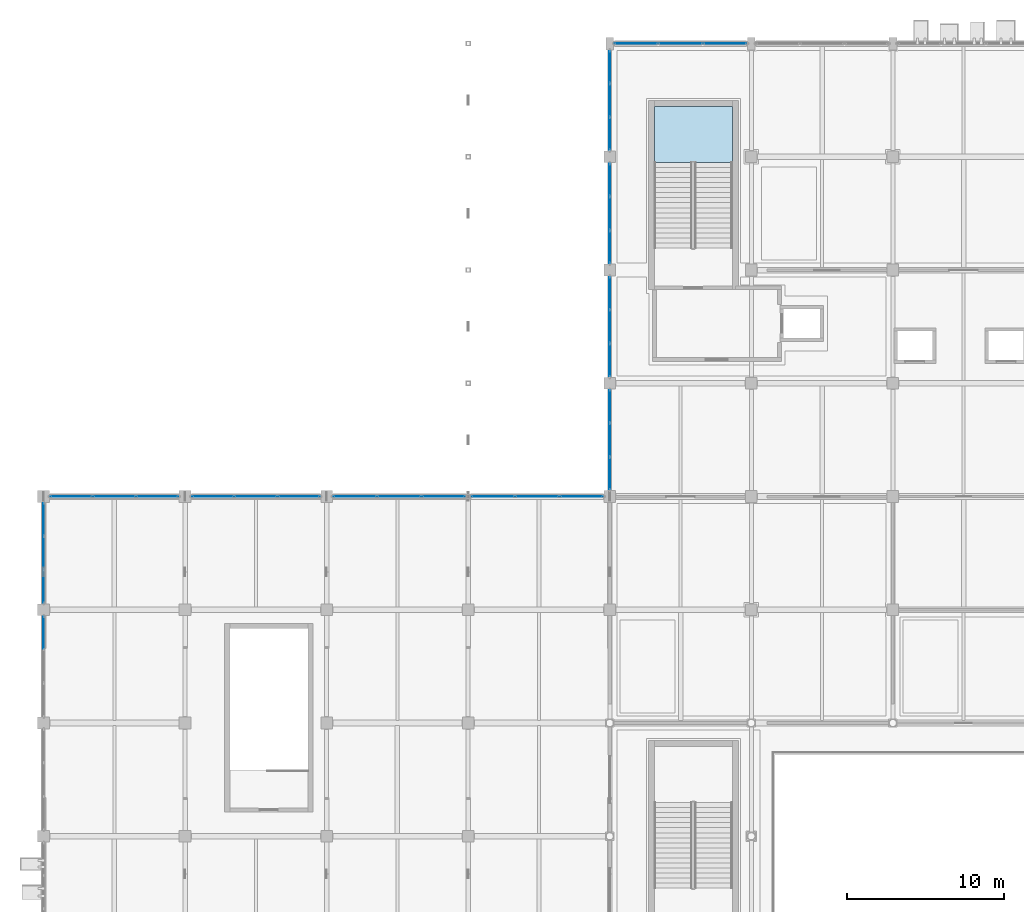
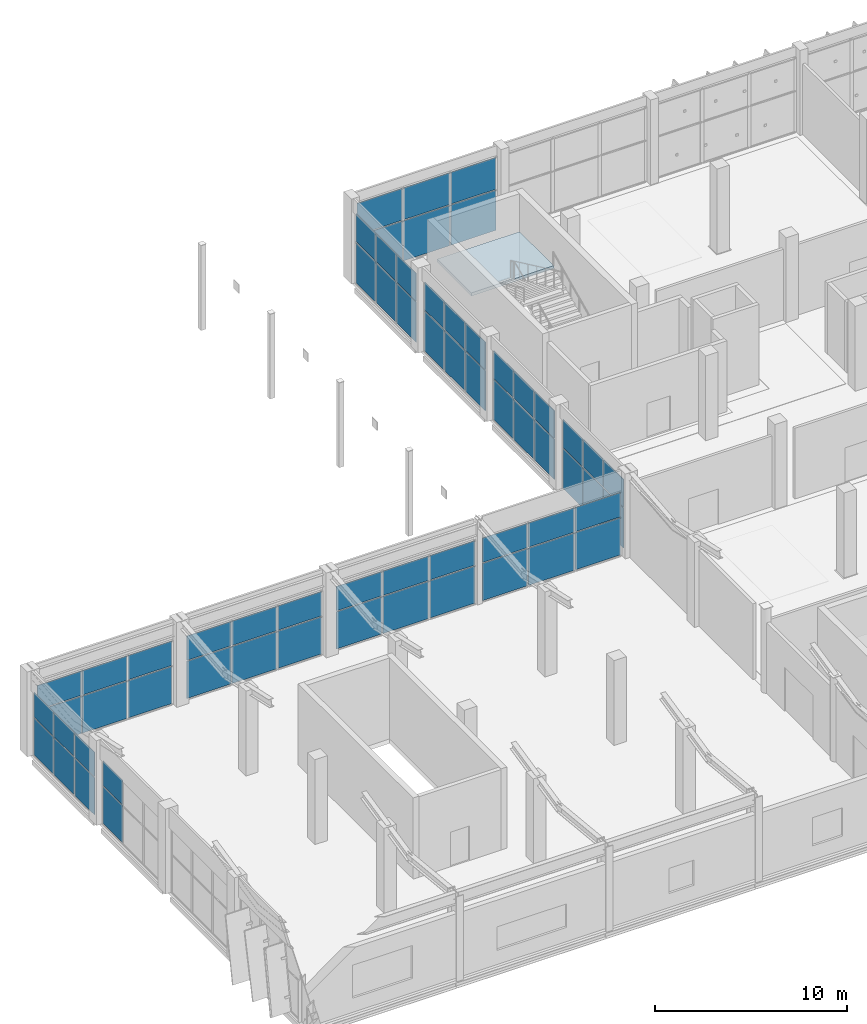
# One storey, part 119 of 189: 62 plates, 1 slab, 12 elements without a shape of their own.
"""IFC4 building model written with IfcOpenShell, lengths in metres."""

from ifc_helpers import new_model, si_unit, direction, frame, origin, origin_2d, place, context, subcontext, project, spatial, polyline, rectangle, outline, extrude, material, layer, layer_set, type_object, element, aggregate, save


model = new_model("IFC4")

# Units and contexts
model_context = context("Model", 3, precision=1e-05, world=origin(), true_north=direction((0.0, 1.0)))
body_context = subcontext(model_context, "Body", "Model", "MODEL_VIEW")
ifc_project = project(units=[si_unit("LENGTHUNIT", "METRE"), si_unit("AREAUNIT", "SQUARE_METRE"), si_unit("VOLUMEUNIT", "CUBIC_METRE"), si_unit("PLANEANGLEUNIT", "RADIAN"), si_unit("MASSUNIT", "GRAM", prefix="KILO")], contexts=[model_context])

# Site, building, storey
site_placement = place(None, origin())
site = spatial("IfcSite", under=ifc_project, at=site_placement, CompositionType="ELEMENT")
building_placement = place(site_placement, origin())
building = spatial("IfcBuilding", under=site, at=building_placement, Name="Celestram Park Convention Centre", CompositionType="ELEMENT")
storey_placement = place(building_placement, frame((0.0, 0.0, 5.39990234375)))
storey = spatial("IfcBuildingStorey", under=building, at=storey_placement, Name="L01", CompositionType="ELEMENT", Elevation=5.39990234375)

# Curtain wall, plates
ifc_material_1 = material(Name="Anodised Aluminium Alloy 6063-T6", Category="aluminium")
ifc_layer_1 = layer(ifc_material_1, 0.179931640625)
ifc_layer_set_1 = layer_set([ifc_layer_1], Name="Anodised Aluminium Alloy 6063-T6")
curtain_wall_type_1 = type_object("IfcCurtainWallType", Name="ARC-CW-645X410", PredefinedType="NOTDEFINED", material=ifc_layer_set_1)
curtain_wall_1_placement = place(storey_placement, origin())
curtain_wall_1 = element("IfcCurtainWall", 1, at=curtain_wall_1_placement, inside=storey, type_object=curtain_wall_type_1, Name="Unitised curtain wall CU-L01-045", PredefinedType="NOTDEFINED")
ifc_material_2 = material(Name="Insulated Glazing Unit 28 mm", Category="glass")
ifc_layer_2 = layer(ifc_material_2, 0.028076171875)
ifc_layer_set_2 = layer_set([ifc_layer_2], Name="Insulated Glazing Unit 28 mm")
plate_type_1 = type_object("IfcPlateType", Name="ARC-CWP-IGU28", PredefinedType="CURTAIN_PANEL", material=ifc_layer_set_2)
plate_1_placement = place(storey_placement, frame((0.0, 128.135009765625, 0.06005859375), z_axis=(0.0, 0.0, 1.0), x_axis=(0.0, 1.0, 0.0)))
plate_1 = element("IfcPlate", 2, at=plate_1_placement, type_object=plate_type_1, Name="CW-64X41 panel 3.1", PredefinedType="CURTAIN_PANEL", context=body_context, shape_type="SweptSolid", body=[
    extrude(rectangle(XDim=2.053955078125, YDim=0.028076171875, at=origin_2d()), origin(), (0.0, 0.0, 1.0), 2.3701171875),
])
plate_2_placement = place(storey_placement, frame((0.0, 128.135009765625, 2.490234375), z_axis=(0.0, 0.0, 1.0), x_axis=(0.0, 1.0, 0.0)))
plate_2 = element("IfcPlate", 3, at=plate_2_placement, type_object=plate_type_1, Name="CW-64X41 panel 3.2", PredefinedType="CURTAIN_PANEL", context=body_context, shape_type="SweptSolid", body=[
    extrude(rectangle(XDim=2.053955078125, YDim=0.028076171875, at=origin_2d()), origin(), (0.0, 0.0, 1.0), 1.550048828125),
])
aggregate(curtain_wall_1, [plate_1, plate_2])

curtain_wall_2_placement = place(storey_placement, origin())
curtain_wall_2 = element("IfcCurtainWall", 4, at=curtain_wall_2_placement, inside=storey, type_object=curtain_wall_type_1, Name="Unitised curtain wall CU-L01-046", PredefinedType="NOTDEFINED")
plate_3_placement = place(storey_placement, frame((0.0, 131.06494140625, 0.06005859375), z_axis=(0.0, 0.0, 1.0), x_axis=(0.0, 1.0, 0.0)))
plate_3 = element("IfcPlate", 5, at=plate_3_placement, type_object=plate_type_1, Name="CW-64X41 panel 1.1", PredefinedType="CURTAIN_PANEL", context=body_context, shape_type="SweptSolid", body=[
    extrude(rectangle(XDim=2.053955078125, YDim=0.028076171875, at=origin_2d()), origin(), (0.0, 0.0, 1.0), 2.3701171875),
])
plate_4_placement = place(storey_placement, frame((0.0, 131.06494140625, 2.490234375), z_axis=(0.0, 0.0, 1.0), x_axis=(0.0, 1.0, 0.0)))
plate_4 = element("IfcPlate", 6, at=plate_4_placement, type_object=plate_type_1, Name="CW-64X41 panel 1.2", PredefinedType="CURTAIN_PANEL", context=body_context, shape_type="SweptSolid", body=[
    extrude(rectangle(XDim=2.053955078125, YDim=0.028076171875, at=origin_2d()), origin(), (0.0, 0.0, 1.0), 1.550048828125),
])
plate_5_placement = place(storey_placement, frame((0.0, 133.199951171875, 0.06005859375), z_axis=(0.0, 0.0, 1.0), x_axis=(0.0, 1.0, 0.0)))
plate_5 = element("IfcPlate", 7, at=plate_5_placement, type_object=plate_type_1, Name="CW-64X41 panel 2.1", PredefinedType="CURTAIN_PANEL", context=body_context, shape_type="SweptSolid", body=[
    extrude(rectangle(XDim=2.08642578125, YDim=0.028076171875, at=origin_2d()), origin(), (0.0, 0.0, 1.0), 2.3701171875),
])
plate_6_placement = place(storey_placement, frame((0.0, 133.199951171875, 2.490234375), z_axis=(0.0, 0.0, 1.0), x_axis=(0.0, 1.0, 0.0)))
plate_6 = element("IfcPlate", 8, at=plate_6_placement, type_object=plate_type_1, Name="CW-64X41 panel 2.2", PredefinedType="CURTAIN_PANEL", context=body_context, shape_type="SweptSolid", body=[
    extrude(rectangle(XDim=2.08642578125, YDim=0.028076171875, at=origin_2d()), origin(), (0.0, 0.0, 1.0), 1.550048828125),
])
plate_7_placement = place(storey_placement, frame((0.0, 135.335205078125, 0.06005859375), z_axis=(0.0, 0.0, 1.0), x_axis=(0.0, 1.0, 0.0)))
plate_7 = element("IfcPlate", 9, at=plate_7_placement, type_object=plate_type_1, Name="CW-64X41 panel 3.1", PredefinedType="CURTAIN_PANEL", context=body_context, shape_type="SweptSolid", body=[
    extrude(rectangle(XDim=2.053955078125, YDim=0.028076171875, at=origin_2d()), origin(), (0.0, 0.0, 1.0), 2.3701171875),
])
plate_8_placement = place(storey_placement, frame((0.0, 135.335205078125, 2.490234375), z_axis=(0.0, 0.0, 1.0), x_axis=(0.0, 1.0, 0.0)))
plate_8 = element("IfcPlate", 10, at=plate_8_placement, type_object=plate_type_1, Name="CW-64X41 panel 3.2", PredefinedType="CURTAIN_PANEL", context=body_context, shape_type="SweptSolid", body=[
    extrude(rectangle(XDim=2.053955078125, YDim=0.028076171875, at=origin_2d()), origin(), (0.0, 0.0, 1.0), 1.550048828125),
])
aggregate(curtain_wall_2, [plate_3, plate_4, plate_5, plate_6, plate_7, plate_8])

ifc_layer_3 = layer(ifc_material_1, 0.179931640625)
ifc_layer_set_3 = layer_set([ifc_layer_3], Name="Anodised Aluminium Alloy 6063-T6")
curtain_wall_type_2 = type_object("IfcCurtainWallType", Name="ARC-CW-825X410", PredefinedType="NOTDEFINED", material=ifc_layer_set_3)
curtain_wall_3_placement = place(storey_placement, origin())
curtain_wall_3 = element("IfcCurtainWall", 11, at=curtain_wall_3_placement, inside=storey, type_object=curtain_wall_type_2, Name="Unitised curtain wall CU-L01-047", PredefinedType="NOTDEFINED")
ifc_material_3 = material(Name="Insulated Glazing Unit 38 mm", Category="glass")
ifc_layer_4 = layer(ifc_material_3, 0.0380859375)
ifc_layer_set_4 = layer_set([ifc_layer_4], Name="Insulated Glazing Unit 38 mm")
plate_type_2 = type_object("IfcPlateType", Name="ARC-CWP-IGU38", PredefinedType="CURTAIN_PANEL", material=ifc_layer_set_4)
plate_9_placement = place(storey_placement, frame((1.767333984375, 136.800048828125, 0.06494140625), z_axis=(0.0, 0.0, 1.0), x_axis=(1.0, 0.0, 0.0)))
plate_9 = element("IfcPlate", 12, at=plate_9_placement, type_object=plate_type_2, Name="CW-82X41 panel 1.1", PredefinedType="CURTAIN_PANEL", context=body_context, shape_type="SweptSolid", body=[
    extrude(rectangle(XDim=2.638916015625, YDim=0.0380859375, at=origin_2d()), origin(), (0.0, 0.0, 1.0), 2.362548828125),
])
plate_10_placement = place(storey_placement, frame((1.767333984375, 136.800048828125, 2.49267578125), z_axis=(0.0, 0.0, 1.0), x_axis=(1.0, 0.0, 0.0)))
plate_10 = element("IfcPlate", 13, at=plate_10_placement, type_object=plate_type_2, Name="CW-82X41 panel 1.2", PredefinedType="CURTAIN_PANEL", context=body_context, shape_type="SweptSolid", body=[
    extrude(rectangle(XDim=2.638916015625, YDim=0.0380859375, at=origin_2d()), origin(), (0.0, 0.0, 1.0), 1.54248046875),
])
plate_11_placement = place(storey_placement, frame((4.5, 136.800048828125, 0.06494140625), z_axis=(0.0, 0.0, 1.0), x_axis=(1.0, 0.0, 0.0)))
plate_11 = element("IfcPlate", 14, at=plate_11_placement, type_object=plate_type_2, Name="CW-82X41 panel 2.1", PredefinedType="CURTAIN_PANEL", context=body_context, shape_type="SweptSolid", body=[
    extrude(rectangle(XDim=2.67626953125, YDim=0.0380859375, at=origin_2d()), origin(), (0.0, 0.0, 1.0), 2.362548828125),
])
plate_12_placement = place(storey_placement, frame((4.5, 136.800048828125, 2.49267578125), z_axis=(0.0, 0.0, 1.0), x_axis=(1.0, 0.0, 0.0)))
plate_12 = element("IfcPlate", 15, at=plate_12_placement, type_object=plate_type_2, Name="CW-82X41 panel 2.2", PredefinedType="CURTAIN_PANEL", context=body_context, shape_type="SweptSolid", body=[
    extrude(rectangle(XDim=2.67626953125, YDim=0.0380859375, at=origin_2d()), origin(), (0.0, 0.0, 1.0), 1.54248046875),
])
plate_13_placement = place(storey_placement, frame((7.232666015625, 136.800048828125, 0.06494140625), z_axis=(0.0, 0.0, 1.0), x_axis=(1.0, 0.0, 0.0)))
plate_13 = element("IfcPlate", 16, at=plate_13_placement, type_object=plate_type_2, Name="CW-82X41 panel 3.1", PredefinedType="CURTAIN_PANEL", context=body_context, shape_type="SweptSolid", body=[
    extrude(rectangle(XDim=2.638916015625, YDim=0.0380859375, at=origin_2d()), origin(), (0.0, 0.0, 1.0), 2.362548828125),
])
plate_14_placement = place(storey_placement, frame((7.232666015625, 136.800048828125, 2.49267578125), z_axis=(0.0, 0.0, 1.0), x_axis=(1.0, 0.0, 0.0)))
plate_14 = element("IfcPlate", 17, at=plate_14_placement, type_object=plate_type_2, Name="CW-82X41 panel 3.2", PredefinedType="CURTAIN_PANEL", context=body_context, shape_type="SweptSolid", body=[
    extrude(rectangle(XDim=2.638916015625, YDim=0.0380859375, at=origin_2d()), origin(), (0.0, 0.0, 1.0), 1.54248046875),
])
aggregate(curtain_wall_3, [plate_9, plate_10, plate_11, plate_12, plate_13, plate_14])

curtain_wall_4_placement = place(storey_placement, origin())
curtain_wall_4 = element("IfcCurtainWall", 18, at=curtain_wall_4_placement, inside=storey, type_object=curtain_wall_type_2, Name="Unitised curtain wall CU-L01-048", PredefinedType="NOTDEFINED")
plate_15_placement = place(storey_placement, frame((10.767333984375, 136.800048828125, 0.06494140625), z_axis=(0.0, 0.0, 1.0), x_axis=(1.0, 0.0, 0.0)))
plate_15 = element("IfcPlate", 19, at=plate_15_placement, type_object=plate_type_2, Name="CW-82X41 panel 1.1", PredefinedType="CURTAIN_PANEL", context=body_context, shape_type="SweptSolid", body=[
    extrude(rectangle(XDim=2.638916015625, YDim=0.0380859375, at=origin_2d()), origin(), (0.0, 0.0, 1.0), 2.362548828125),
])
plate_16_placement = place(storey_placement, frame((10.767333984375, 136.800048828125, 2.49267578125), z_axis=(0.0, 0.0, 1.0), x_axis=(1.0, 0.0, 0.0)))
plate_16 = element("IfcPlate", 20, at=plate_16_placement, type_object=plate_type_2, Name="CW-82X41 panel 1.2", PredefinedType="CURTAIN_PANEL", context=body_context, shape_type="SweptSolid", body=[
    extrude(rectangle(XDim=2.638916015625, YDim=0.0380859375, at=origin_2d()), origin(), (0.0, 0.0, 1.0), 1.54248046875),
])
plate_17_placement = place(storey_placement, frame((13.5, 136.800048828125, 0.06494140625), z_axis=(0.0, 0.0, 1.0), x_axis=(1.0, 0.0, 0.0)))
plate_17 = element("IfcPlate", 21, at=plate_17_placement, type_object=plate_type_2, Name="CW-82X41 panel 2.1", PredefinedType="CURTAIN_PANEL", context=body_context, shape_type="SweptSolid", body=[
    extrude(rectangle(XDim=2.67626953125, YDim=0.0380859375, at=origin_2d()), origin(), (0.0, 0.0, 1.0), 2.362548828125),
])
plate_18_placement = place(storey_placement, frame((13.5, 136.800048828125, 2.49267578125), z_axis=(0.0, 0.0, 1.0), x_axis=(1.0, 0.0, 0.0)))
plate_18 = element("IfcPlate", 22, at=plate_18_placement, type_object=plate_type_2, Name="CW-82X41 panel 2.2", PredefinedType="CURTAIN_PANEL", context=body_context, shape_type="SweptSolid", body=[
    extrude(rectangle(XDim=2.67626953125, YDim=0.0380859375, at=origin_2d()), origin(), (0.0, 0.0, 1.0), 1.54248046875),
])
plate_19_placement = place(storey_placement, frame((16.232666015625, 136.800048828125, 0.06494140625), z_axis=(0.0, 0.0, 1.0), x_axis=(1.0, 0.0, 0.0)))
plate_19 = element("IfcPlate", 23, at=plate_19_placement, type_object=plate_type_2, Name="CW-82X41 panel 3.1", PredefinedType="CURTAIN_PANEL", context=body_context, shape_type="SweptSolid", body=[
    extrude(rectangle(XDim=2.638916015625, YDim=0.0380859375, at=origin_2d()), origin(), (0.0, 0.0, 1.0), 2.362548828125),
])
plate_20_placement = place(storey_placement, frame((16.232666015625, 136.800048828125, 2.49267578125), z_axis=(0.0, 0.0, 1.0), x_axis=(1.0, 0.0, 0.0)))
plate_20 = element("IfcPlate", 24, at=plate_20_placement, type_object=plate_type_2, Name="CW-82X41 panel 3.2", PredefinedType="CURTAIN_PANEL", context=body_context, shape_type="SweptSolid", body=[
    extrude(rectangle(XDim=2.638916015625, YDim=0.0380859375, at=origin_2d()), origin(), (0.0, 0.0, 1.0), 1.54248046875),
])
aggregate(curtain_wall_4, [plate_15, plate_16, plate_17, plate_18, plate_19, plate_20])

ifc_layer_5 = layer(ifc_material_1, 0.179931640625)
ifc_layer_set_5 = layer_set([ifc_layer_5], Name="Anodised Aluminium Alloy 6063-T6")
curtain_wall_type_3 = type_object("IfcCurtainWallType", Name="ARC-CW-848X410", PredefinedType="NOTDEFINED", material=ifc_layer_set_5)
curtain_wall_5_placement = place(storey_placement, origin())
curtain_wall_5 = element("IfcCurtainWall", 25, at=curtain_wall_5_placement, inside=storey, type_object=curtain_wall_type_3, Name="Unitised curtain wall CU-L01-049", PredefinedType="NOTDEFINED")
plate_21_placement = place(storey_placement, frame((19.804931640625, 136.800048828125, 0.06494140625), z_axis=(0.0, 0.0, 1.0), x_axis=(1.0, 0.0, 0.0)))
plate_21 = element("IfcPlate", 26, at=plate_21_placement, type_object=plate_type_2, Name="CW-84X41 panel 1.1", PredefinedType="CURTAIN_PANEL", context=body_context, shape_type="SweptSolid", body=[
    extrude(rectangle(XDim=2.7138671875, YDim=0.0380859375, at=origin_2d()), origin(), (0.0, 0.0, 1.0), 2.362548828125),
])
plate_22_placement = place(storey_placement, frame((19.804931640625, 136.800048828125, 2.49267578125), z_axis=(0.0, 0.0, 1.0), x_axis=(1.0, 0.0, 0.0)))
plate_22 = element("IfcPlate", 27, at=plate_22_placement, type_object=plate_type_2, Name="CW-84X41 panel 1.2", PredefinedType="CURTAIN_PANEL", context=body_context, shape_type="SweptSolid", body=[
    extrude(rectangle(XDim=2.7138671875, YDim=0.0380859375, at=origin_2d()), origin(), (0.0, 0.0, 1.0), 1.54248046875),
])
plate_23_placement = place(storey_placement, frame((22.612548828125, 136.800048828125, 0.06494140625), z_axis=(0.0, 0.0, 1.0), x_axis=(1.0, 0.0, 0.0)))
plate_23 = element("IfcPlate", 28, at=plate_23_placement, type_object=plate_type_2, Name="CW-84X41 panel 2.1", PredefinedType="CURTAIN_PANEL", context=body_context, shape_type="SweptSolid", body=[
    extrude(rectangle(XDim=2.751220703125, YDim=0.0380859375, at=origin_2d()), origin(), (0.0, 0.0, 1.0), 2.362548828125),
])
plate_24_placement = place(storey_placement, frame((22.612548828125, 136.800048828125, 2.49267578125), z_axis=(0.0, 0.0, 1.0), x_axis=(1.0, 0.0, 0.0)))
plate_24 = element("IfcPlate", 29, at=plate_24_placement, type_object=plate_type_2, Name="CW-84X41 panel 2.2", PredefinedType="CURTAIN_PANEL", context=body_context, shape_type="SweptSolid", body=[
    extrude(rectangle(XDim=2.751220703125, YDim=0.0380859375, at=origin_2d()), origin(), (0.0, 0.0, 1.0), 1.54248046875),
])
plate_25_placement = place(storey_placement, frame((25.420166015625, 136.800048828125, 0.06494140625), z_axis=(0.0, 0.0, 1.0), x_axis=(1.0, 0.0, 0.0)))
plate_25 = element("IfcPlate", 30, at=plate_25_placement, type_object=plate_type_2, Name="CW-84X41 panel 3.1", PredefinedType="CURTAIN_PANEL", context=body_context, shape_type="SweptSolid", body=[
    extrude(rectangle(XDim=2.7138671875, YDim=0.0380859375, at=origin_2d()), origin(), (0.0, 0.0, 1.0), 2.362548828125),
])
plate_26_placement = place(storey_placement, frame((25.420166015625, 136.800048828125, 2.49267578125), z_axis=(0.0, 0.0, 1.0), x_axis=(1.0, 0.0, 0.0)))
plate_26 = element("IfcPlate", 31, at=plate_26_placement, type_object=plate_type_2, Name="CW-84X41 panel 3.2", PredefinedType="CURTAIN_PANEL", context=body_context, shape_type="SweptSolid", body=[
    extrude(rectangle(XDim=2.7138671875, YDim=0.0380859375, at=origin_2d()), origin(), (0.0, 0.0, 1.0), 1.54248046875),
])
aggregate(curtain_wall_5, [plate_21, plate_22, plate_23, plate_24, plate_25, plate_26])

curtain_wall_6_placement = place(storey_placement, origin())
curtain_wall_6 = element("IfcCurtainWall", 32, at=curtain_wall_6_placement, inside=storey, type_object=curtain_wall_type_3, Name="Unitised curtain wall CU-L01-050", PredefinedType="NOTDEFINED")
plate_27_placement = place(storey_placement, frame((28.579833984375, 136.800048828125, 0.06494140625), z_axis=(0.0, 0.0, 1.0), x_axis=(1.0, 0.0, 0.0)))
plate_27 = element("IfcPlate", 33, at=plate_27_placement, type_object=plate_type_2, Name="CW-84X41 panel 1.1", PredefinedType="CURTAIN_PANEL", context=body_context, shape_type="SweptSolid", body=[
    extrude(rectangle(XDim=2.7138671875, YDim=0.0380859375, at=origin_2d()), origin(), (0.0, 0.0, 1.0), 2.362548828125),
])
plate_28_placement = place(storey_placement, frame((28.579833984375, 136.800048828125, 2.49267578125), z_axis=(0.0, 0.0, 1.0), x_axis=(1.0, 0.0, 0.0)))
plate_28 = element("IfcPlate", 34, at=plate_28_placement, type_object=plate_type_2, Name="CW-84X41 panel 1.2", PredefinedType="CURTAIN_PANEL", context=body_context, shape_type="SweptSolid", body=[
    extrude(rectangle(XDim=2.7138671875, YDim=0.0380859375, at=origin_2d()), origin(), (0.0, 0.0, 1.0), 1.54248046875),
])
plate_29_placement = place(storey_placement, frame((31.387451171875, 136.800048828125, 0.06494140625), z_axis=(0.0, 0.0, 1.0), x_axis=(1.0, 0.0, 0.0)))
plate_29 = element("IfcPlate", 35, at=plate_29_placement, type_object=plate_type_2, Name="CW-84X41 panel 2.1", PredefinedType="CURTAIN_PANEL", context=body_context, shape_type="SweptSolid", body=[
    extrude(rectangle(XDim=2.751220703125, YDim=0.0380859375, at=origin_2d()), origin(), (0.0, 0.0, 1.0), 2.362548828125),
])
plate_30_placement = place(storey_placement, frame((31.387451171875, 136.800048828125, 2.49267578125), z_axis=(0.0, 0.0, 1.0), x_axis=(1.0, 0.0, 0.0)))
plate_30 = element("IfcPlate", 36, at=plate_30_placement, type_object=plate_type_2, Name="CW-84X41 panel 2.2", PredefinedType="CURTAIN_PANEL", context=body_context, shape_type="SweptSolid", body=[
    extrude(rectangle(XDim=2.751220703125, YDim=0.0380859375, at=origin_2d()), origin(), (0.0, 0.0, 1.0), 1.54248046875),
])
plate_31_placement = place(storey_placement, frame((34.195068359375, 136.800048828125, 0.06494140625), z_axis=(0.0, 0.0, 1.0), x_axis=(1.0, 0.0, 0.0)))
plate_31 = element("IfcPlate", 37, at=plate_31_placement, type_object=plate_type_2, Name="CW-84X41 panel 3.1", PredefinedType="CURTAIN_PANEL", context=body_context, shape_type="SweptSolid", body=[
    extrude(rectangle(XDim=2.7138671875, YDim=0.0380859375, at=origin_2d()), origin(), (0.0, 0.0, 1.0), 2.362548828125),
])
plate_32_placement = place(storey_placement, frame((34.195068359375, 136.800048828125, 2.49267578125), z_axis=(0.0, 0.0, 1.0), x_axis=(1.0, 0.0, 0.0)))
plate_32 = element("IfcPlate", 38, at=plate_32_placement, type_object=plate_type_2, Name="CW-84X41 panel 3.2", PredefinedType="CURTAIN_PANEL", context=body_context, shape_type="SweptSolid", body=[
    extrude(rectangle(XDim=2.7138671875, YDim=0.0380859375, at=origin_2d()), origin(), (0.0, 0.0, 1.0), 1.54248046875),
])
aggregate(curtain_wall_6, [plate_27, plate_28, plate_29, plate_30, plate_31, plate_32])

ifc_layer_6 = layer(ifc_material_1, 0.179931640625)
ifc_layer_set_6 = layer_set([ifc_layer_6], Name="Anodised Aluminium Alloy 6063-T6")
curtain_wall_type_4 = type_object("IfcCurtainWallType", Name="ARC-CW-645X451", PredefinedType="NOTDEFINED", material=ifc_layer_set_6)
curtain_wall_7_placement = place(storey_placement, origin())
curtain_wall_7 = element("IfcCurtainWall", 39, at=curtain_wall_7_placement, inside=storey, type_object=curtain_wall_type_4, Name="Unitised curtain wall CU-L01-051", PredefinedType="NOTDEFINED")
plate_33_placement = place(storey_placement, frame((36.0, 138.267333984375, 0.06494140625), z_axis=(0.0, 0.0, 1.0), x_axis=(0.0, 1.0, 0.0)))
plate_33 = element("IfcPlate", 40, at=plate_33_placement, type_object=plate_type_2, Name="CW-64X45 panel 1.1", PredefinedType="CURTAIN_PANEL", context=body_context, shape_type="SweptSolid", body=[
    extrude(rectangle(XDim=2.038818359375, YDim=0.0380859375, at=origin_2d()), origin(), (0.0, 0.0, 1.0), 2.552490234375),
])
plate_34_placement = place(storey_placement, frame((36.0, 138.267333984375, 2.6826171875), z_axis=(0.0, 0.0, 1.0), x_axis=(0.0, 1.0, 0.0)))
plate_34 = element("IfcPlate", 41, at=plate_34_placement, type_object=plate_type_2, Name="CW-64X45 panel 1.2", PredefinedType="CURTAIN_PANEL", context=body_context, shape_type="SweptSolid", body=[
    extrude(rectangle(XDim=2.038818359375, YDim=0.0380859375, at=origin_2d()), origin(), (0.0, 0.0, 1.0), 1.760498046875),
])
plate_35_placement = place(storey_placement, frame((36.0, 140.39990234375, 0.06494140625), z_axis=(0.0, 0.0, 1.0), x_axis=(0.0, 1.0, 0.0)))
plate_35 = element("IfcPlate", 42, at=plate_35_placement, type_object=plate_type_2, Name="CW-64X45 panel 2.1", PredefinedType="CURTAIN_PANEL", context=body_context, shape_type="SweptSolid", body=[
    extrude(rectangle(XDim=2.076416015625, YDim=0.0380859375, at=origin_2d()), origin(), (0.0, 0.0, 1.0), 2.552490234375),
])
plate_36_placement = place(storey_placement, frame((36.0, 140.39990234375, 2.6826171875), z_axis=(0.0, 0.0, 1.0), x_axis=(0.0, 1.0, 0.0)))
plate_36 = element("IfcPlate", 43, at=plate_36_placement, type_object=plate_type_2, Name="CW-64X45 panel 2.2", PredefinedType="CURTAIN_PANEL", context=body_context, shape_type="SweptSolid", body=[
    extrude(rectangle(XDim=2.076416015625, YDim=0.0380859375, at=origin_2d()), origin(), (0.0, 0.0, 1.0), 1.760498046875),
])
plate_37_placement = place(storey_placement, frame((36.0, 142.532470703125, 0.06494140625), z_axis=(0.0, 0.0, 1.0), x_axis=(0.0, 1.0, 0.0)))
plate_37 = element("IfcPlate", 44, at=plate_37_placement, type_object=plate_type_2, Name="CW-64X45 panel 3.1", PredefinedType="CURTAIN_PANEL", context=body_context, shape_type="SweptSolid", body=[
    extrude(rectangle(XDim=2.038818359375, YDim=0.0380859375, at=origin_2d()), origin(), (0.0, 0.0, 1.0), 2.552490234375),
])
plate_38_placement = place(storey_placement, frame((36.0, 142.532470703125, 2.6826171875), z_axis=(0.0, 0.0, 1.0), x_axis=(0.0, 1.0, 0.0)))
plate_38 = element("IfcPlate", 45, at=plate_38_placement, type_object=plate_type_2, Name="CW-64X45 panel 3.2", PredefinedType="CURTAIN_PANEL", context=body_context, shape_type="SweptSolid", body=[
    extrude(rectangle(XDim=2.038818359375, YDim=0.0380859375, at=origin_2d()), origin(), (0.0, 0.0, 1.0), 1.760498046875),
])
aggregate(curtain_wall_7, [plate_33, plate_34, plate_35, plate_36, plate_37, plate_38])

curtain_wall_8_placement = place(storey_placement, origin())
curtain_wall_8 = element("IfcCurtainWall", 46, at=curtain_wall_8_placement, inside=storey, type_object=curtain_wall_type_4, Name="Unitised curtain wall CU-L01-052", PredefinedType="NOTDEFINED")
plate_39_placement = place(storey_placement, frame((36.0, 145.467529296875, 0.06494140625), z_axis=(0.0, 0.0, 1.0), x_axis=(0.0, 1.0, 0.0)))
plate_39 = element("IfcPlate", 47, at=plate_39_placement, type_object=plate_type_2, Name="CW-64X45 panel 1.1", PredefinedType="CURTAIN_PANEL", context=body_context, shape_type="SweptSolid", body=[
    extrude(rectangle(XDim=2.038818359375, YDim=0.0380859375, at=origin_2d()), origin(), (0.0, 0.0, 1.0), 2.552490234375),
])
plate_40_placement = place(storey_placement, frame((36.0, 145.467529296875, 2.6826171875), z_axis=(0.0, 0.0, 1.0), x_axis=(0.0, 1.0, 0.0)))
plate_40 = element("IfcPlate", 48, at=plate_40_placement, type_object=plate_type_2, Name="CW-64X45 panel 1.2", PredefinedType="CURTAIN_PANEL", context=body_context, shape_type="SweptSolid", body=[
    extrude(rectangle(XDim=2.038818359375, YDim=0.0380859375, at=origin_2d()), origin(), (0.0, 0.0, 1.0), 1.760498046875),
])
plate_41_placement = place(storey_placement, frame((36.0, 147.60009765625, 0.06494140625), z_axis=(0.0, 0.0, 1.0), x_axis=(0.0, 1.0, 0.0)))
plate_41 = element("IfcPlate", 49, at=plate_41_placement, type_object=plate_type_2, Name="CW-64X45 panel 2.1", PredefinedType="CURTAIN_PANEL", context=body_context, shape_type="SweptSolid", body=[
    extrude(rectangle(XDim=2.076416015625, YDim=0.0380859375, at=origin_2d()), origin(), (0.0, 0.0, 1.0), 2.552490234375),
])
plate_42_placement = place(storey_placement, frame((36.0, 147.60009765625, 2.6826171875), z_axis=(0.0, 0.0, 1.0), x_axis=(0.0, 1.0, 0.0)))
plate_42 = element("IfcPlate", 50, at=plate_42_placement, type_object=plate_type_2, Name="CW-64X45 panel 2.2", PredefinedType="CURTAIN_PANEL", context=body_context, shape_type="SweptSolid", body=[
    extrude(rectangle(XDim=2.076416015625, YDim=0.0380859375, at=origin_2d()), origin(), (0.0, 0.0, 1.0), 1.760498046875),
])
plate_43_placement = place(storey_placement, frame((36.0, 149.732666015625, 0.06494140625), z_axis=(0.0, 0.0, 1.0), x_axis=(0.0, 1.0, 0.0)))
plate_43 = element("IfcPlate", 51, at=plate_43_placement, type_object=plate_type_2, Name="CW-64X45 panel 3.1", PredefinedType="CURTAIN_PANEL", context=body_context, shape_type="SweptSolid", body=[
    extrude(rectangle(XDim=2.038818359375, YDim=0.0380859375, at=origin_2d()), origin(), (0.0, 0.0, 1.0), 2.552490234375),
])
plate_44_placement = place(storey_placement, frame((36.0, 149.732666015625, 2.6826171875), z_axis=(0.0, 0.0, 1.0), x_axis=(0.0, 1.0, 0.0)))
plate_44 = element("IfcPlate", 52, at=plate_44_placement, type_object=plate_type_2, Name="CW-64X45 panel 3.2", PredefinedType="CURTAIN_PANEL", context=body_context, shape_type="SweptSolid", body=[
    extrude(rectangle(XDim=2.038818359375, YDim=0.0380859375, at=origin_2d()), origin(), (0.0, 0.0, 1.0), 1.760498046875),
])
aggregate(curtain_wall_8, [plate_39, plate_40, plate_41, plate_42, plate_43, plate_44])

curtain_wall_9_placement = place(storey_placement, origin())
curtain_wall_9 = element("IfcCurtainWall", 53, at=curtain_wall_9_placement, inside=storey, type_object=curtain_wall_type_4, Name="Unitised curtain wall CU-L01-053", PredefinedType="NOTDEFINED")
plate_45_placement = place(storey_placement, frame((36.0, 152.66748046875, 0.06494140625), z_axis=(0.0, 0.0, 1.0), x_axis=(0.0, 1.0, 0.0)))
plate_45 = element("IfcPlate", 54, at=plate_45_placement, type_object=plate_type_2, Name="CW-64X45 panel 1.1", PredefinedType="CURTAIN_PANEL", context=body_context, shape_type="SweptSolid", body=[
    extrude(rectangle(XDim=2.038818359375, YDim=0.0380859375, at=origin_2d()), origin(), (0.0, 0.0, 1.0), 2.552490234375),
])
plate_46_placement = place(storey_placement, frame((36.0, 152.66748046875, 2.6826171875), z_axis=(0.0, 0.0, 1.0), x_axis=(0.0, 1.0, 0.0)))
plate_46 = element("IfcPlate", 55, at=plate_46_placement, type_object=plate_type_2, Name="CW-64X45 panel 1.2", PredefinedType="CURTAIN_PANEL", context=body_context, shape_type="SweptSolid", body=[
    extrude(rectangle(XDim=2.038818359375, YDim=0.0380859375, at=origin_2d()), origin(), (0.0, 0.0, 1.0), 1.760498046875),
])
plate_47_placement = place(storey_placement, frame((36.0, 154.800048828125, 0.06494140625), z_axis=(0.0, 0.0, 1.0), x_axis=(0.0, 1.0, 0.0)))
plate_47 = element("IfcPlate", 56, at=plate_47_placement, type_object=plate_type_2, Name="CW-64X45 panel 2.1", PredefinedType="CURTAIN_PANEL", context=body_context, shape_type="SweptSolid", body=[
    extrude(rectangle(XDim=2.076416015625, YDim=0.0380859375, at=origin_2d()), origin(), (0.0, 0.0, 1.0), 2.552490234375),
])
plate_48_placement = place(storey_placement, frame((36.0, 154.800048828125, 2.6826171875), z_axis=(0.0, 0.0, 1.0), x_axis=(0.0, 1.0, 0.0)))
plate_48 = element("IfcPlate", 57, at=plate_48_placement, type_object=plate_type_2, Name="CW-64X45 panel 2.2", PredefinedType="CURTAIN_PANEL", context=body_context, shape_type="SweptSolid", body=[
    extrude(rectangle(XDim=2.076416015625, YDim=0.0380859375, at=origin_2d()), origin(), (0.0, 0.0, 1.0), 1.760498046875),
])
plate_49_placement = place(storey_placement, frame((36.0, 156.9326171875, 0.06494140625), z_axis=(0.0, 0.0, 1.0), x_axis=(0.0, 1.0, 0.0)))
plate_49 = element("IfcPlate", 58, at=plate_49_placement, type_object=plate_type_2, Name="CW-64X45 panel 3.1", PredefinedType="CURTAIN_PANEL", context=body_context, shape_type="SweptSolid", body=[
    extrude(rectangle(XDim=2.038818359375, YDim=0.0380859375, at=origin_2d()), origin(), (0.0, 0.0, 1.0), 2.552490234375),
])
plate_50_placement = place(storey_placement, frame((36.0, 156.9326171875, 2.6826171875), z_axis=(0.0, 0.0, 1.0), x_axis=(0.0, 1.0, 0.0)))
plate_50 = element("IfcPlate", 59, at=plate_50_placement, type_object=plate_type_2, Name="CW-64X45 panel 3.2", PredefinedType="CURTAIN_PANEL", context=body_context, shape_type="SweptSolid", body=[
    extrude(rectangle(XDim=2.038818359375, YDim=0.0380859375, at=origin_2d()), origin(), (0.0, 0.0, 1.0), 1.760498046875),
])
aggregate(curtain_wall_9, [plate_45, plate_46, plate_47, plate_48, plate_49, plate_50])

ifc_layer_7 = layer(ifc_material_1, 0.179931640625)
ifc_layer_set_7 = layer_set([ifc_layer_7], Name="Anodised Aluminium Alloy 6063-T6")
curtain_wall_type_5 = type_object("IfcCurtainWallType", Name="ARC-CW-643X451", PredefinedType="NOTDEFINED", material=ifc_layer_set_7)
curtain_wall_10_placement = place(storey_placement, origin())
curtain_wall_10 = element("IfcCurtainWall", 60, at=curtain_wall_10_placement, inside=storey, type_object=curtain_wall_type_5, Name="Unitised curtain wall CU-L01-054", PredefinedType="NOTDEFINED")
plate_51_placement = place(storey_placement, frame((36.0, 159.86328125, 0.06494140625), z_axis=(0.0, 0.0, 1.0), x_axis=(0.0, 1.0, 0.0)))
plate_51 = element("IfcPlate", 61, at=plate_51_placement, type_object=plate_type_2, Name="CW-64X45 panel 1.1", PredefinedType="CURTAIN_PANEL", context=body_context, shape_type="SweptSolid", body=[
    extrude(rectangle(XDim=2.030517578125, YDim=0.0380859375, at=origin_2d()), origin(), (0.0, 0.0, 1.0), 2.552490234375),
])
plate_52_placement = place(storey_placement, frame((36.0, 159.86328125, 2.6826171875), z_axis=(0.0, 0.0, 1.0), x_axis=(0.0, 1.0, 0.0)))
plate_52 = element("IfcPlate", 62, at=plate_52_placement, type_object=plate_type_2, Name="CW-64X45 panel 1.2", PredefinedType="CURTAIN_PANEL", context=body_context, shape_type="SweptSolid", body=[
    extrude(rectangle(XDim=2.030517578125, YDim=0.0380859375, at=origin_2d()), origin(), (0.0, 0.0, 1.0), 1.760498046875),
])
plate_53_placement = place(storey_placement, frame((36.0, 161.987548828125, 0.06494140625), z_axis=(0.0, 0.0, 1.0), x_axis=(0.0, 1.0, 0.0)))
plate_53 = element("IfcPlate", 63, at=plate_53_placement, type_object=plate_type_2, Name="CW-64X45 panel 2.1", PredefinedType="CURTAIN_PANEL", context=body_context, shape_type="SweptSolid", body=[
    extrude(rectangle(XDim=2.068115234375, YDim=0.0380859375, at=origin_2d()), origin(), (0.0, 0.0, 1.0), 2.552490234375),
])
plate_54_placement = place(storey_placement, frame((36.0, 161.987548828125, 2.6826171875), z_axis=(0.0, 0.0, 1.0), x_axis=(0.0, 1.0, 0.0)))
plate_54 = element("IfcPlate", 64, at=plate_54_placement, type_object=plate_type_2, Name="CW-64X45 panel 2.2", PredefinedType="CURTAIN_PANEL", context=body_context, shape_type="SweptSolid", body=[
    extrude(rectangle(XDim=2.068115234375, YDim=0.0380859375, at=origin_2d()), origin(), (0.0, 0.0, 1.0), 1.760498046875),
])
plate_55_placement = place(storey_placement, frame((36.0, 164.11181640625, 0.06494140625), z_axis=(0.0, 0.0, 1.0), x_axis=(0.0, 1.0, 0.0)))
plate_55 = element("IfcPlate", 65, at=plate_55_placement, type_object=plate_type_2, Name="CW-64X45 panel 3.1", PredefinedType="CURTAIN_PANEL", context=body_context, shape_type="SweptSolid", body=[
    extrude(rectangle(XDim=2.030517578125, YDim=0.0380859375, at=origin_2d()), origin(), (0.0, 0.0, 1.0), 2.552490234375),
])
plate_56_placement = place(storey_placement, frame((36.0, 164.11181640625, 2.6826171875), z_axis=(0.0, 0.0, 1.0), x_axis=(0.0, 1.0, 0.0)))
plate_56 = element("IfcPlate", 66, at=plate_56_placement, type_object=plate_type_2, Name="CW-64X45 panel 3.2", PredefinedType="CURTAIN_PANEL", context=body_context, shape_type="SweptSolid", body=[
    extrude(rectangle(XDim=2.030517578125, YDim=0.0380859375, at=origin_2d()), origin(), (0.0, 0.0, 1.0), 1.760498046875),
])
aggregate(curtain_wall_10, [plate_51, plate_52, plate_53, plate_54, plate_55, plate_56])

ifc_layer_8 = layer(ifc_material_1, 0.179931640625)
ifc_layer_set_8 = layer_set([ifc_layer_8], Name="Anodised Aluminium Alloy 6063-T6")
curtain_wall_type_6 = type_object("IfcCurtainWallType", Name="ARC-CW-850X476", PredefinedType="NOTDEFINED", material=ifc_layer_set_8)
curtain_wall_11_placement = place(storey_placement, origin())
curtain_wall_11 = element("IfcCurtainWall", 67, at=curtain_wall_11_placement, inside=storey, type_object=curtain_wall_type_6, Name="Unitised curtain wall CU-L01-055", PredefinedType="NOTDEFINED")
plate_57_placement = place(storey_placement, frame((37.68408203125, 165.60009765625, 0.06494140625), z_axis=(0.0, 0.0, 1.0), x_axis=(1.0, 0.0, 0.0)))
plate_57 = element("IfcPlate", 68, at=plate_57_placement, type_object=plate_type_2, Name="CW-85X47 panel 1.1", PredefinedType="CURTAIN_PANEL", context=body_context, shape_type="SweptSolid", body=[
    extrude(rectangle(XDim=2.72216796875, YDim=0.0380859375, at=origin_2d()), origin(), (0.0, 0.0, 1.0), 2.552490234375),
])
plate_58_placement = place(storey_placement, frame((37.68408203125, 165.60009765625, 2.6826171875), z_axis=(0.0, 0.0, 1.0), x_axis=(1.0, 0.0, 0.0)))
plate_58 = element("IfcPlate", 69, at=plate_58_placement, type_object=plate_type_2, Name="CW-85X47 panel 1.2", PredefinedType="CURTAIN_PANEL", context=body_context, shape_type="SweptSolid", body=[
    extrude(rectangle(XDim=2.72216796875, YDim=0.0380859375, at=origin_2d()), origin(), (0.0, 0.0, 1.0), 2.0166015625),
])
plate_59_placement = place(storey_placement, frame((40.5, 165.60009765625, 0.06494140625), z_axis=(0.0, 0.0, 1.0), x_axis=(1.0, 0.0, 0.0)))
plate_59 = element("IfcPlate", 70, at=plate_59_placement, type_object=plate_type_2, Name="CW-85X47 panel 2.1", PredefinedType="CURTAIN_PANEL", context=body_context, shape_type="SweptSolid", body=[
    extrude(rectangle(XDim=2.759765625, YDim=0.0380859375, at=origin_2d()), origin(), (0.0, 0.0, 1.0), 2.552490234375),
])
plate_60_placement = place(storey_placement, frame((40.5, 165.60009765625, 2.6826171875), z_axis=(0.0, 0.0, 1.0), x_axis=(1.0, 0.0, 0.0)))
plate_60 = element("IfcPlate", 71, at=plate_60_placement, type_object=plate_type_2, Name="CW-85X47 panel 2.2", PredefinedType="CURTAIN_PANEL", context=body_context, shape_type="SweptSolid", body=[
    extrude(rectangle(XDim=2.759765625, YDim=0.0380859375, at=origin_2d()), origin(), (0.0, 0.0, 1.0), 2.0166015625),
])
plate_61_placement = place(storey_placement, frame((43.31591796875, 165.60009765625, 0.06494140625), z_axis=(0.0, 0.0, 1.0), x_axis=(1.0, 0.0, 0.0)))
plate_61 = element("IfcPlate", 72, at=plate_61_placement, type_object=plate_type_2, Name="CW-85X47 panel 3.1", PredefinedType="CURTAIN_PANEL", context=body_context, shape_type="SweptSolid", body=[
    extrude(rectangle(XDim=2.72216796875, YDim=0.0380859375, at=origin_2d()), origin(), (0.0, 0.0, 1.0), 2.552490234375),
])
plate_62_placement = place(storey_placement, frame((43.31591796875, 165.60009765625, 2.6826171875), z_axis=(0.0, 0.0, 1.0), x_axis=(1.0, 0.0, 0.0)))
plate_62 = element("IfcPlate", 73, at=plate_62_placement, type_object=plate_type_2, Name="CW-85X47 panel 3.2", PredefinedType="CURTAIN_PANEL", context=body_context, shape_type="SweptSolid", body=[
    extrude(rectangle(XDim=2.72216796875, YDim=0.0380859375, at=origin_2d()), origin(), (0.0, 0.0, 1.0), 2.0166015625),
])
aggregate(curtain_wall_11, [plate_57, plate_58, plate_59, plate_60, plate_61, plate_62])

# Stair, slab
ifc_material_4 = material(Name="Precast Concrete C40/50", Category="concrete")
stair_type = type_object("IfcStairType", Name="ARC-STR-DOG54", PredefinedType="HALF_TURN_STAIR", material=ifc_material_4)
stair_placement = place(storey_placement, origin())
stair = element("IfcStair", 74, at=stair_placement, inside=storey, type_object=stair_type, Name="L01 Core C1 stair ST-01", PredefinedType="HALF_TURN_STAIR")
ifc_material_5 = material(Name="Concrete C35/45", Category="concrete")
ifc_layer_9 = layer(ifc_material_5, 0.199951171875)
ifc_layer_set_9 = layer_set([ifc_layer_9], Name="Concrete C35/45")
slab_type = type_object("IfcSlabType", Name="STR-SLB-LND200", PredefinedType="LANDING", material=ifc_layer_set_9)
slab_placement = place(storey_placement, frame((0.0, 0.0, 2.5)))
slab = element("IfcSlab", 75, at=slab_placement, type_object=slab_type, Name="ST-01 landing 1", PredefinedType="LANDING", context=body_context, shape_type="SweptSolid", body=[
    extrude(outline(polyline([(43.800048828125, 158.033935546875), (43.800048828125, 161.60009765625), (38.840087890625, 161.60009765625), (38.840087890625, 158.033935546875), (43.800048828125, 158.033935546875)])), origin(), (0.0, 0.0, 1.0), 0.2001953125),
])
aggregate(stair, [slab])

save(model, "model.ifc")
